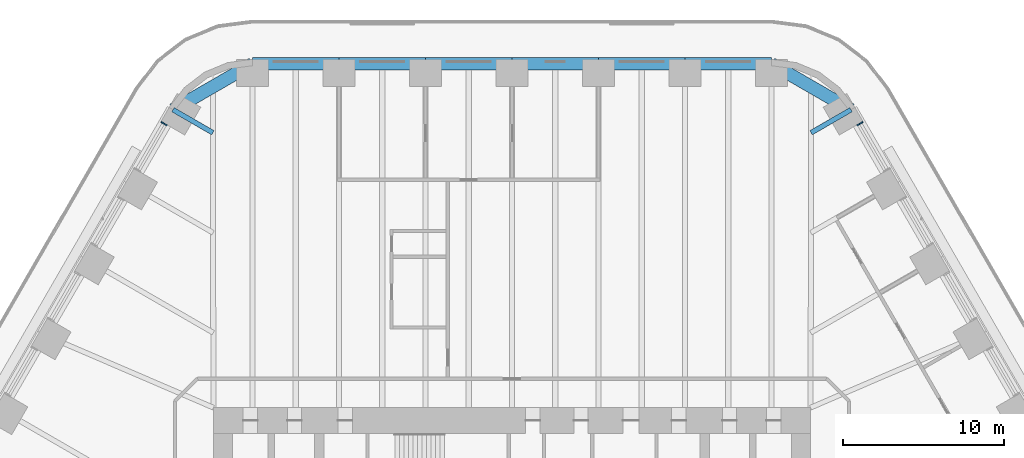
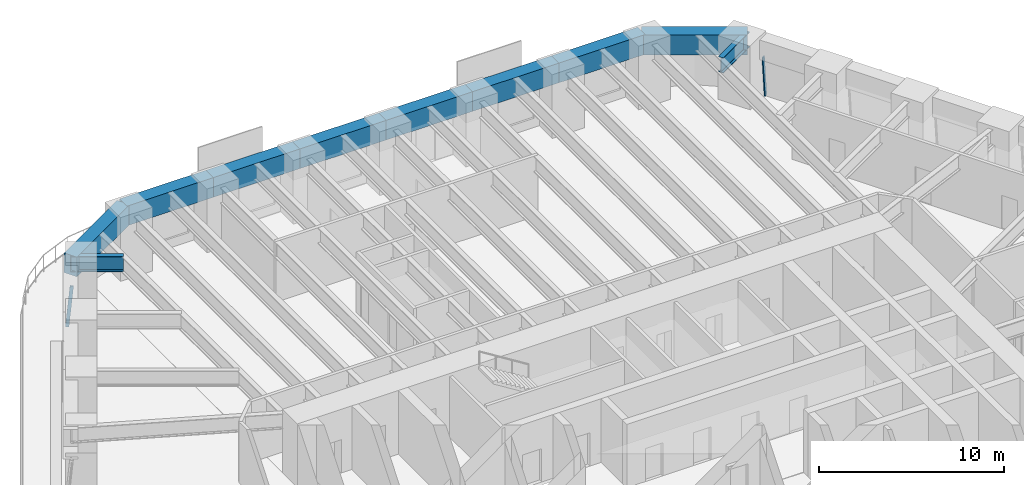
# One storey, part 14 of 24: 10 beams, 2 members, 2 elements without a shape of their own.
"""IFC4 building model written with IfcOpenShell, lengths in metres."""

from ifc_helpers import new_model, si_unit, direction, frame, origin, origin_2d, place, context, subcontext, project, spatial, rectangle, i_section, extrude, material, material_profile, profile_set, type_object, element, aggregate, save


model = new_model("IFC4")

# Units and contexts
model_context = context("Model", 3, precision=1e-05, world=origin(), true_north=direction((0.0, 1.0)))
body_context = subcontext(model_context, "Body", "Model", "MODEL_VIEW")
ifc_project = project(units=[si_unit("LENGTHUNIT", "METRE"), si_unit("AREAUNIT", "SQUARE_METRE"), si_unit("VOLUMEUNIT", "CUBIC_METRE"), si_unit("PLANEANGLEUNIT", "RADIAN"), si_unit("MASSUNIT", "GRAM", prefix="KILO")], contexts=[model_context])

# Site, building, storey
site_placement = place(None, origin())
site = spatial("IfcSite", under=ifc_project, at=site_placement, CompositionType="ELEMENT")
building_placement = place(site_placement, origin())
building = spatial("IfcBuilding", under=site, at=building_placement, Name="Tarfa Lantern Tower", CompositionType="ELEMENT")
storey_placement = place(building_placement, frame((0.0, 0.0, 65.5)))
storey = spatial("IfcBuildingStorey", under=building, at=storey_placement, Name="L14", CompositionType="ELEMENT", Elevation=65.5)

# Curtain wall, member
ifc_material_1 = material(Name="Aluminium framed curtain wall", Category="aluminium")
curtain_wall_type = type_object("IfcCurtainWallType", Name="CW1 CANTED GLAZING LOW ZONE 2700", PredefinedType="USERDEFINED", material=ifc_material_1)
curtain_wall_1_placement = place(storey_placement, origin())
curtain_wall_1 = element("IfcCurtainWall", 1, at=curtain_wall_1_placement, inside=storey, type_object=curtain_wall_type, Name="CW1 NE L14", ObjectType="CURTAIN WALL", PredefinedType="USERDEFINED")
ifc_material_2 = material(Name="Aluminium mullion", Category="aluminium")
ifc_material_profile_1 = material_profile(ifc_material_2, rectangle(XDim=0.06494140625, YDim=0.199951171875, at=origin_2d()), Name="AL MULLION 65x200")
ifc_profile_set_1 = profile_set([ifc_material_profile_1], Name="Aluminium mullion")
member_type = type_object("IfcMemberType", Name="CWM1 MULLION 65x200", PredefinedType="MULLION", material=ifc_profile_set_1)
member_1_placement = place(storey_placement, frame((21.79150390625, 30.055908203125, 0.0), z_axis=(-0.079774955866, -0.04610020023, 0.995746317068), x_axis=(0.500342721131, -0.865827443207, 0.0)))
member_1 = element("IfcMember", 2, at=member_1_placement, type_object=member_type, Name="CW1 mullion 2", PredefinedType="MULLION", context=body_context, shape_type="SweptSolid", body=[
    extrude(rectangle(XDim=0.06494140625, YDim=0.199951171875, at=origin_2d()), origin(), (0.0, 0.0, 1.0), 2.71142578125),
])
aggregate(curtain_wall_1, [member_1])

curtain_wall_2_placement = place(storey_placement, origin())
curtain_wall_2 = element("IfcCurtainWall", 3, at=curtain_wall_2_placement, inside=storey, type_object=curtain_wall_type, Name="CW1 NW L14", ObjectType="CURTAIN WALL", PredefinedType="USERDEFINED")
member_2_placement = place(storey_placement, frame((-21.79150390625, 30.055908203125, 0.0), z_axis=(0.079774955866, -0.04610020023, 0.995746317068), x_axis=(0.500342721131, 0.865827443207, 0.0)))
member_2 = element("IfcMember", 4, at=member_2_placement, type_object=member_type, Name="CW1 mullion 1", PredefinedType="MULLION", context=body_context, shape_type="SweptSolid", body=[
    extrude(rectangle(XDim=0.06494140625, YDim=0.199951171875, at=origin_2d()), origin(), (0.0, 0.0, 1.0), 2.71142578125),
])
aggregate(curtain_wall_2, [member_2])

# Beams
ifc_material_3 = material(Name="Concrete C80/95", Category="concrete")
ifc_material_profile_2 = material_profile(ifc_material_3, rectangle(XDim=0.800048828125, YDim=1.300048828125, at=origin_2d()), Name="RC 800x1300")
ifc_profile_set_2 = profile_set([ifc_material_profile_2], Name="Concrete C80/95")
beam_type_1 = type_object("IfcBeamType", Name="EB1 RC 800x1300", PredefinedType="SPANDREL", material=ifc_profile_set_2)
beam_1_placement = place(storey_placement, frame((21.119384765625, 30.860107421875, 3.35009765625), z_axis=(-0.866033479681, 0.499986011877, 0.0), x_axis=(-0.499986011877, -0.866033479681, 0.0)))
element("IfcBeam", 5, at=beam_1_placement, inside=storey, type_object=beam_type_1, Name="Edge beam NE6", PredefinedType="SPANDREL", context=body_context, shape_type="SweptSolid", body=[
    extrude(rectangle(XDim=0.800048828125, YDim=1.300048828125, at=origin_2d()), origin(), (0.0, 0.0, 1.0), 5.719970703125),
])
beam_2_placement = place(storey_placement, frame((16.165771484375, 33.719970703125, 3.35009765625), z_axis=(-1.0, 0.0, 0.0), x_axis=(0.0, -1.0, 0.0)))
element("IfcBeam", 6, at=beam_2_placement, inside=storey, type_object=beam_type_1, Name="Edge beam N0", PredefinedType="SPANDREL", context=body_context, shape_type="SweptSolid", body=[
    extrude(rectangle(XDim=0.800048828125, YDim=1.300048828125, at=origin_2d()), origin(), (0.0, 0.0, 1.0), 5.388671875),
])
beam_3_placement = place(storey_placement, frame((10.777099609375, 33.719970703125, 3.35009765625), z_axis=(-1.0, 0.0, 0.0), x_axis=(0.0, -1.0, 0.0)))
element("IfcBeam", 7, at=beam_3_placement, inside=storey, type_object=beam_type_1, Name="Edge beam N1", PredefinedType="SPANDREL", context=body_context, shape_type="SweptSolid", body=[
    extrude(rectangle(XDim=0.800048828125, YDim=1.300048828125, at=origin_2d()), origin(), (0.0, 0.0, 1.0), 5.388427734375),
])
for number, where, z_axis, x_axis, name in (
    (8, (5.388671875, 33.719970703125, 3.35009765625), (-1.0, 0.0, 0.0), (0.0, -1.0, 0.0), "Edge beam N2"),
    (9, (0.0, 33.719970703125, 3.35009765625), (-1.0, 0.0, 0.0), (0.0, -1.0, 0.0), "Edge beam N3"),
):
    element("IfcBeam", number, at=place(storey_placement, frame(where, z_axis=z_axis, x_axis=x_axis)), inside=storey, type_object=beam_type_1, Name=name, PredefinedType="SPANDREL", context=body_context, shape_type="SweptSolid", body=[
        extrude(rectangle(XDim=0.800048828125, YDim=1.300048828125, at=origin_2d()), origin(), (0.0, 0.0, 1.0), 5.388671875),
    ])
beam_4_placement = place(storey_placement, frame((-5.388671875, 33.719970703125, 3.35009765625), z_axis=(-1.0, 0.0, 0.0), x_axis=(0.0, -1.0, 0.0)))
element("IfcBeam", 10, at=beam_4_placement, inside=storey, type_object=beam_type_1, Name="Edge beam N4", PredefinedType="SPANDREL", context=body_context, shape_type="SweptSolid", body=[
    extrude(rectangle(XDim=0.800048828125, YDim=1.300048828125, at=origin_2d()), origin(), (0.0, 0.0, 1.0), 5.388427734375),
])
beam_5_placement = place(storey_placement, frame((-10.777099609375, 33.719970703125, 3.35009765625), z_axis=(-1.0, 0.0, 0.0), x_axis=(0.0, -1.0, 0.0)))
element("IfcBeam", 11, at=beam_5_placement, inside=storey, type_object=beam_type_1, Name="Edge beam N5", PredefinedType="SPANDREL", context=body_context, shape_type="SweptSolid", body=[
    extrude(rectangle(XDim=0.800048828125, YDim=1.300048828125, at=origin_2d()), origin(), (0.0, 0.0, 1.0), 5.388671875),
])
beam_6_placement = place(storey_placement, frame((-16.165771484375, 33.719970703125, 3.35009765625), z_axis=(-0.866033479681, -0.499986011877, 0.0), x_axis=(0.499986011877, -0.866033479681, 0.0)))
element("IfcBeam", 12, at=beam_6_placement, inside=storey, type_object=beam_type_1, Name="Edge beam N6", PredefinedType="SPANDREL", context=body_context, shape_type="SweptSolid", body=[
    extrude(rectangle(XDim=0.800048828125, YDim=1.300048828125, at=origin_2d()), origin(), (0.0, 0.0, 1.0), 5.719970703125),
])
ifc_material_4 = material(Name="Steel S460M", Category="steel")
ifc_material_profile_3 = material_profile(ifc_material_4, i_section(OverallWidth=0.302001953125, OverallDepth=1.008056640625, WebThickness=0.02099609375, FlangeThickness=0.0400390625, FilletRadius=0.030029296875, at=origin_2d()), Name="UB1016x305x349")
ifc_profile_set_3 = profile_set([ifc_material_profile_3], Name="Steel S460M")
beam_type_2 = type_object("IfcBeamType", Name="UB1016x305x349", PredefinedType="BEAM", material=ifc_profile_set_3)
for number, where, z_axis, x_axis, name in (
    (13, (21.119384765625, 30.860107421875, 3.495849609375), (-0.866012580594, -0.500022209759, 0.0), (0.500022209759, -0.866012580594, 0.0), "Floor beam NE6"),
    (14, (-21.119384765625, 30.860107421875, 3.495849609375), (0.866012580594, -0.500022209759, 0.0), (0.500022209759, 0.866012580594, 0.0), "Floor beam NW0"),
):
    element("IfcBeam", number, at=place(storey_placement, frame(where, z_axis=z_axis, x_axis=x_axis)), inside=storey, type_object=beam_type_2, Name=name, PredefinedType="BEAM", context=body_context, shape_type="SweptSolid", body=[
        extrude(i_section(OverallWidth=0.302001953125, OverallDepth=1.008056640625, WebThickness=0.02099609375, FlangeThickness=0.0400390625, FilletRadius=0.030029296875, at=origin_2d()), origin(), (0.0, 0.0, 1.0), 2.866943359375),
    ])

save(model, "model.ifc")
